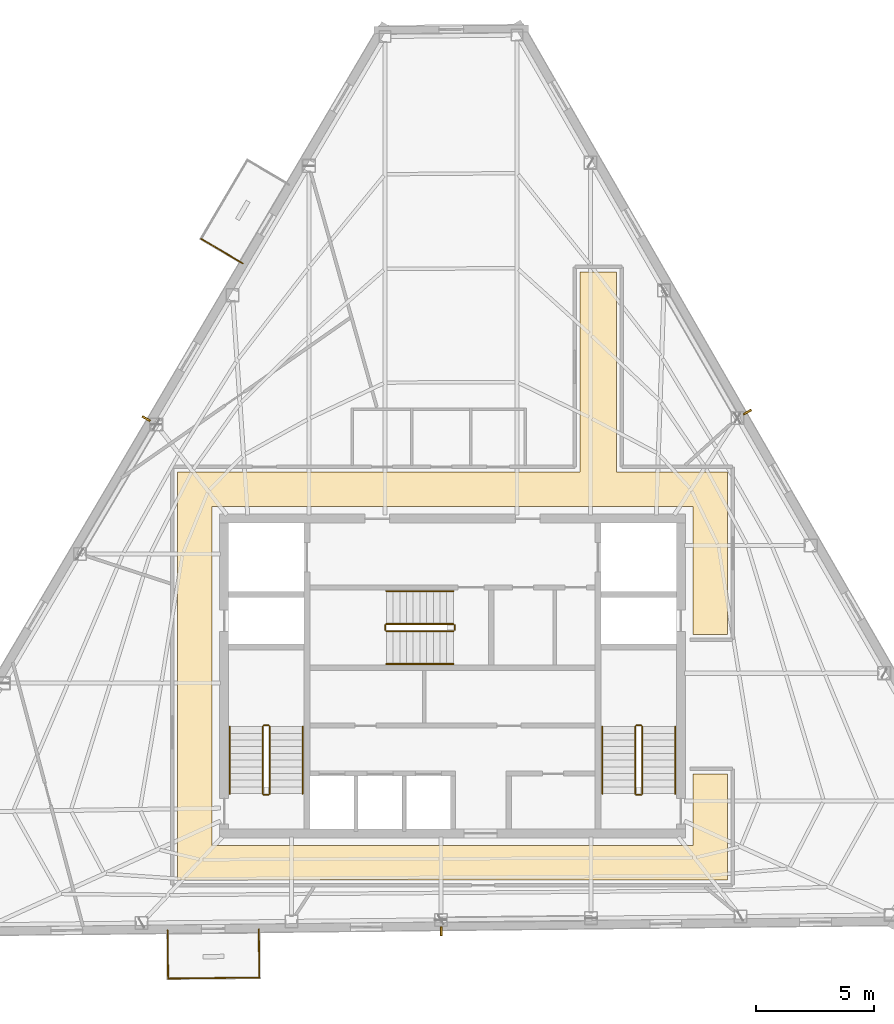
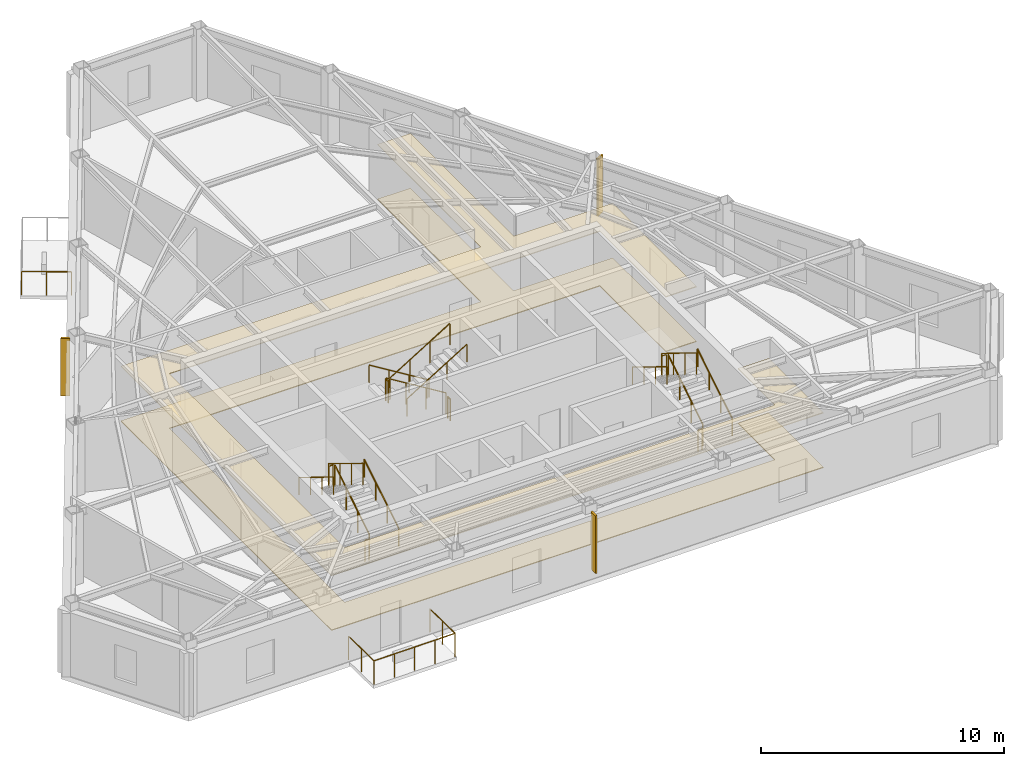
# One storey, part 10 of 11: 22 railings, 3 shading devices, 2 coverings.
"""IFC4 building model written with IfcOpenShell, lengths in metres."""

from ifc_helpers import new_model, si_unit, direction, frame, origin, origin_2d, place, context, subcontext, project, spatial, polyline, rectangle, circle, outline, extrude, material, layer, layer_set, type_object, element, save


model = new_model("IFC4")

# Units and contexts
model_context = context("Model", 3, precision=1e-05, world=origin(), true_north=direction((0.0, 1.0)))
body_context = subcontext(model_context, "Body", "Model", "MODEL_VIEW")
ifc_project = project(units=[si_unit("LENGTHUNIT", "METRE"), si_unit("AREAUNIT", "SQUARE_METRE"), si_unit("VOLUMEUNIT", "CUBIC_METRE"), si_unit("PLANEANGLEUNIT", "RADIAN"), si_unit("MASSUNIT", "GRAM", prefix="KILO")], contexts=[model_context])

# Site, building, storey
site_placement = place(None, origin())
site = spatial("IfcSite", under=ifc_project, at=site_placement, CompositionType="ELEMENT")
building_placement = place(site_placement, origin())
building = spatial("IfcBuilding", under=site, at=building_placement, Name="Kavelnor Concourse Tower", CompositionType="ELEMENT")
storey_placement = place(building_placement, frame((0.0, 0.0, 285.699951171875)))
storey = spatial("IfcBuildingStorey", under=building, at=storey_placement, Name="L72", CompositionType="ELEMENT", Elevation=285.699951171875)

# Coverings
ifc_material_1 = material(Name="Mineral fibre acoustic ceiling tile")
ifc_layer_1 = layer(ifc_material_1, 0.0400390625, Name="Mineral fibre acoustic ceiling tile")
ifc_layer_set_1 = layer_set([ifc_layer_1], Name="Mineral fibre acoustic ceiling tile")
covering_type_1 = type_object("IfcCoveringType", Name="COV-CEILING-ACOUSTIC", PredefinedType="CEILING", material=ifc_layer_set_1)
covering_1_placement = place(storey_placement, frame((0.0, 0.0, 2.75)))
element("IfcCovering", 1, at=covering_1_placement, inside=storey, type_object=covering_type_1, Name="L72 Suspended Acoustic Ceiling", PredefinedType="CEILING", context=body_context, shape_type="SweptSolid", body=[
    extrude(outline(polyline([(44.97998046875, 24.77001953125), (49.68994140625, 24.77001953125), (49.68994140625, 17.8701171875), (48.22998046875, 17.8701171875), (48.22998046875, 23.31005859375), (27.77001953125, 23.31005859375), (27.77001953125, 8.889892578125), (48.22998046875, 8.889892578125), (48.22998046875, 11.929931640625), (49.68994140625, 11.929931640625), (49.68994140625, 7.429931640625), (26.31005859375, 7.429931640625), (26.31005859375, 24.77001953125), (43.419921875, 24.77001953125), (43.419921875, 33.2744140625), (44.97998046875, 33.2744140625), (44.97998046875, 24.77001953125)])), origin(), (0.0, 0.0, 1.0), 0.0400390625),
])
ifc_material_2 = material(Name="Honed bluestone and raised access floor finish", Category="masonry")
ifc_layer_2 = layer(ifc_material_2, 0.0400390625, Name="Honed bluestone and raised access floor finish")
ifc_layer_set_2 = layer_set([ifc_layer_2], Name="Honed bluestone and raised access floor finish")
covering_type_2 = type_object("IfcCoveringType", Name="COV-FLOOR-STONE", PredefinedType="FLOORING", material=ifc_layer_set_2)
covering_2_placement = place(storey_placement, frame((0.0, 0.0, 0.001953125)))
element("IfcCovering", 2, at=covering_2_placement, inside=storey, type_object=covering_type_2, Name="L72 Honed Bluestone Floor Finish", PredefinedType="FLOORING", context=body_context, shape_type="SweptSolid", body=[
    extrude(outline(polyline([(44.97998046875, 24.77001953125), (49.68994140625, 24.77001953125), (49.68994140625, 17.8701171875), (48.22998046875, 17.8701171875), (48.22998046875, 23.31005859375), (27.77001953125, 23.31005859375), (27.77001953125, 8.889892578125), (48.22998046875, 8.889892578125), (48.22998046875, 11.929931640625), (49.68994140625, 11.929931640625), (49.68994140625, 7.429931640625), (26.31005859375, 7.429931640625), (26.31005859375, 24.77001953125), (43.419921875, 24.77001953125), (43.419921875, 33.2744140625), (44.97998046875, 33.2744140625), (44.97998046875, 24.77001953125)])), origin(), (0.0, 0.0, 1.0), 0.0400390625),
])

# Railings
ifc_material_3 = material(Name="Steel Grade 350", Category="steel")
railing_type_1 = type_object("IfcRailingType", Name="RLG-GUARD-1100", PredefinedType="GUARDRAIL", material=ifc_material_3)
railing_1_placement = place(storey_placement, frame((30.22998046875, 11.10009765625, 0.175048828125)))
element("IfcRailing", 3, at=railing_1_placement, inside=storey, type_object=railing_type_1, Name="L72 ST1 stair guard 1", PredefinedType="GUARDRAIL", context=body_context, shape_type="SweptSolid", body=[
    extrude(circle(Radius=0.02392578125, at=origin_2d()), frame((0.0, 0.0, 1.076171875), z_axis=(0.0, 0.852159232446, 0.523282564737), x_axis=(-1.0, 0.0, 0.0)), (0.0, 0.0, 1.0), 3.34423828125),
    extrude(circle(Radius=0.02099609375, at=origin_2d()), origin(), (0.0, 0.0, 1.0), 1.052001953125),
    extrude(circle(Radius=0.02099609375, at=origin_2d()), frame((0.0, 0.949951171875, 0.583251953125)), (0.0, 0.0, 1.0), 1.052001953125),
    extrude(circle(Radius=0.02099609375, at=origin_2d()), frame((0.0, 1.89990234375, 1.166748046875)), (0.0, 0.0, 1.0), 1.052001953125),
    extrude(circle(Radius=0.02099609375, at=origin_2d()), frame((0.0, 2.849853515625, 1.75)), (0.0, 0.0, 1.0), 1.052001953125),
])
railing_2_placement = place(storey_placement, frame((30.179931640625, 14.0, 1.925048828125)))
element("IfcRailing", 4, at=railing_2_placement, inside=storey, type_object=railing_type_1, Name="L72 ST1 stair guard 2", PredefinedType="GUARDRAIL", context=body_context, shape_type="SweptSolid", body=[
    extrude(circle(Radius=0.02392578125, at=origin_2d()), frame((0.0, 0.0, 1.076171875), z_axis=(-1.0, 0.0, 0.0), x_axis=(0.0, -1.0, 0.0)), (0.0, 0.0, 1.0), 0.199951171875),
    extrude(circle(Radius=0.02099609375, at=origin_2d()), origin(), (0.0, 0.0, 1.0), 1.052001953125),
    extrude(circle(Radius=0.02099609375, at=origin_2d()), frame((-0.199951171875, 0.0, 0.0)), (0.0, 0.0, 1.0), 1.052001953125),
])
railing_3_placement = place(storey_placement, frame((29.929931640625, 13.949951171875, 2.10009765625)))
element("IfcRailing", 5, at=railing_3_placement, inside=storey, type_object=railing_type_1, Name="L72 ST1 stair guard 3", PredefinedType="GUARDRAIL", context=body_context, shape_type="SweptSolid", body=[
    extrude(circle(Radius=0.02392578125, at=origin_2d()), frame((0.0, 0.0, 1.076171875), z_axis=(0.0, -0.852159232446, 0.523282564737), x_axis=(1.0, 0.0, 0.0)), (0.0, 0.0, 1.0), 3.34423828125),
    extrude(circle(Radius=0.02099609375, at=origin_2d()), origin(), (0.0, 0.0, 1.0), 1.052001953125),
    extrude(circle(Radius=0.02099609375, at=origin_2d()), frame((0.0, -0.949951171875, 0.583251953125)), (0.0, 0.0, 1.0), 1.052001953125),
    extrude(circle(Radius=0.02099609375, at=origin_2d()), frame((0.0, -1.89990234375, 1.166748046875)), (0.0, 0.0, 1.0), 1.052001953125),
    extrude(circle(Radius=0.02099609375, at=origin_2d()), frame((0.0, -2.849853515625, 1.75)), (0.0, 0.0, 1.0), 1.052001953125),
])
railing_4_placement = place(storey_placement, frame((30.179931640625, 11.050048828125, 0.0)))
element("IfcRailing", 6, at=railing_4_placement, inside=storey, type_object=railing_type_1, Name="L72 ST1 stair guard 4", PredefinedType="GUARDRAIL", context=body_context, shape_type="SweptSolid", body=[
    extrude(circle(Radius=0.02392578125, at=origin_2d()), frame((0.0, 0.0, 1.076171875), z_axis=(-1.0, 0.0, 0.0), x_axis=(0.0, -1.0, 0.0)), (0.0, 0.0, 1.0), 0.199951171875),
    extrude(circle(Radius=0.02099609375, at=origin_2d()), origin(), (0.0, 0.0, 1.0), 1.052001953125),
    extrude(circle(Radius=0.02099609375, at=origin_2d()), frame((-0.199951171875, 0.0, 0.0)), (0.0, 0.0, 1.0), 1.052001953125),
])
railing_5_placement = place(storey_placement, frame((46.070068359375, 11.10009765625, 0.175048828125)))
element("IfcRailing", 7, at=railing_5_placement, inside=storey, type_object=railing_type_1, Name="L72 ST2 stair guard 1", PredefinedType="GUARDRAIL", context=body_context, shape_type="SweptSolid", body=[
    extrude(circle(Radius=0.02392578125, at=origin_2d()), frame((0.0, 0.0, 1.076171875), z_axis=(0.0, 0.852159232446, 0.523282564737), x_axis=(-1.0, 0.0, 0.0)), (0.0, 0.0, 1.0), 3.34423828125),
    extrude(circle(Radius=0.02099609375, at=origin_2d()), origin(), (0.0, 0.0, 1.0), 1.052001953125),
    extrude(circle(Radius=0.02099609375, at=origin_2d()), frame((0.0, 0.949951171875, 0.583251953125)), (0.0, 0.0, 1.0), 1.052001953125),
    extrude(circle(Radius=0.02099609375, at=origin_2d()), frame((0.0, 1.89990234375, 1.166748046875)), (0.0, 0.0, 1.0), 1.052001953125),
    extrude(circle(Radius=0.02099609375, at=origin_2d()), frame((0.0, 2.849853515625, 1.75)), (0.0, 0.0, 1.0), 1.052001953125),
])
railing_6_placement = place(storey_placement, frame((46.02001953125, 14.0, 1.925048828125)))
element("IfcRailing", 8, at=railing_6_placement, inside=storey, type_object=railing_type_1, Name="L72 ST2 stair guard 2", PredefinedType="GUARDRAIL", context=body_context, shape_type="SweptSolid", body=[
    extrude(circle(Radius=0.02392578125, at=origin_2d()), frame((0.0, 0.0, 1.076171875), z_axis=(-1.0, 0.0, 0.0), x_axis=(0.0, -1.0, 0.0)), (0.0, 0.0, 1.0), 0.199951171875),
    extrude(circle(Radius=0.02099609375, at=origin_2d()), origin(), (0.0, 0.0, 1.0), 1.052001953125),
    extrude(circle(Radius=0.02099609375, at=origin_2d()), frame((-0.199951171875, 0.0, 0.0)), (0.0, 0.0, 1.0), 1.052001953125),
])
railing_7_placement = place(storey_placement, frame((45.77001953125, 13.949951171875, 2.10009765625)))
element("IfcRailing", 9, at=railing_7_placement, inside=storey, type_object=railing_type_1, Name="L72 ST2 stair guard 3", PredefinedType="GUARDRAIL", context=body_context, shape_type="SweptSolid", body=[
    extrude(circle(Radius=0.02392578125, at=origin_2d()), frame((0.0, 0.0, 1.076171875), z_axis=(0.0, -0.852159232446, 0.523282564737), x_axis=(1.0, 0.0, 0.0)), (0.0, 0.0, 1.0), 3.34423828125),
    extrude(circle(Radius=0.02099609375, at=origin_2d()), origin(), (0.0, 0.0, 1.0), 1.052001953125),
    extrude(circle(Radius=0.02099609375, at=origin_2d()), frame((0.0, -0.949951171875, 0.583251953125)), (0.0, 0.0, 1.0), 1.052001953125),
    extrude(circle(Radius=0.02099609375, at=origin_2d()), frame((0.0, -1.89990234375, 1.166748046875)), (0.0, 0.0, 1.0), 1.052001953125),
    extrude(circle(Radius=0.02099609375, at=origin_2d()), frame((0.0, -2.849853515625, 1.75)), (0.0, 0.0, 1.0), 1.052001953125),
])
railing_8_placement = place(storey_placement, frame((46.02001953125, 11.050048828125, 0.0)))
element("IfcRailing", 10, at=railing_8_placement, inside=storey, type_object=railing_type_1, Name="L72 ST2 stair guard 4", PredefinedType="GUARDRAIL", context=body_context, shape_type="SweptSolid", body=[
    extrude(circle(Radius=0.02392578125, at=origin_2d()), frame((0.0, 0.0, 1.076171875), z_axis=(-1.0, 0.0, 0.0), x_axis=(0.0, -1.0, 0.0)), (0.0, 0.0, 1.0), 0.199951171875),
    extrude(circle(Radius=0.02099609375, at=origin_2d()), origin(), (0.0, 0.0, 1.0), 1.052001953125),
    extrude(circle(Radius=0.02099609375, at=origin_2d()), frame((-0.199951171875, 0.0, 0.0)), (0.0, 0.0, 1.0), 1.052001953125),
])
railing_9_placement = place(storey_placement, frame((38.0400390625, 18.31005859375, 0.175048828125)))
element("IfcRailing", 11, at=railing_9_placement, inside=storey, type_object=railing_type_1, Name="L72 ST3 stair guard 1", PredefinedType="GUARDRAIL", context=body_context, shape_type="SweptSolid", body=[
    extrude(circle(Radius=0.02392578125, at=origin_2d()), frame((0.0, 0.0, 1.076171875), z_axis=(-0.852179220489, 0.0, 0.52325001306), x_axis=(0.0, -1.0, 0.0)), (0.0, 0.0, 1.0), 3.344482421875),
    extrude(circle(Radius=0.02099609375, at=origin_2d()), origin(), (0.0, 0.0, 1.0), 1.052001953125),
    extrude(circle(Radius=0.02099609375, at=origin_2d()), frame((-0.949951171875, 0.0, 0.583251953125)), (0.0, 0.0, 1.0), 1.052001953125),
    extrude(circle(Radius=0.02099609375, at=origin_2d()), frame((-1.900146484375, 0.0, 1.166748046875)), (0.0, 0.0, 1.0), 1.052001953125),
    extrude(circle(Radius=0.02099609375, at=origin_2d()), frame((-2.85009765625, 0.0, 1.75)), (0.0, 0.0, 1.0), 1.052001953125),
])
railing_10_placement = place(storey_placement, frame((35.139892578125, 18.260009765625, 1.925048828125)))
element("IfcRailing", 12, at=railing_10_placement, inside=storey, type_object=railing_type_1, Name="L72 ST3 stair guard 2", PredefinedType="GUARDRAIL", context=body_context, shape_type="SweptSolid", body=[
    extrude(circle(Radius=0.02392578125, at=origin_2d()), frame((0.0, 0.0, 1.076171875), z_axis=(0.0, -1.0, 0.0), x_axis=(1.0, 0.0, 0.0)), (0.0, 0.0, 1.0), 0.199951171875),
    extrude(circle(Radius=0.02099609375, at=origin_2d()), origin(), (0.0, 0.0, 1.0), 1.052001953125),
    extrude(circle(Radius=0.02099609375, at=origin_2d()), frame((0.0, -0.199951171875, 0.0)), (0.0, 0.0, 1.0), 1.052001953125),
])
railing_11_placement = place(storey_placement, frame((35.18994140625, 18.010009765625, 2.10009765625)))
element("IfcRailing", 13, at=railing_11_placement, inside=storey, type_object=railing_type_1, Name="L72 ST3 stair guard 3", PredefinedType="GUARDRAIL", context=body_context, shape_type="SweptSolid", body=[
    extrude(circle(Radius=0.02392578125, at=origin_2d()), frame((0.0, 0.0, 1.076171875), z_axis=(0.852179220489, 0.0, 0.52325001306), x_axis=(0.0, 1.0, 0.0)), (0.0, 0.0, 1.0), 3.344482421875),
    extrude(circle(Radius=0.02099609375, at=origin_2d()), origin(), (0.0, 0.0, 1.0), 1.052001953125),
    extrude(circle(Radius=0.02099609375, at=origin_2d()), frame((0.949951171875, 0.0, 0.583251953125)), (0.0, 0.0, 1.0), 1.052001953125),
    extrude(circle(Radius=0.02099609375, at=origin_2d()), frame((1.900146484375, 0.0, 1.166748046875)), (0.0, 0.0, 1.0), 1.052001953125),
    extrude(circle(Radius=0.02099609375, at=origin_2d()), frame((2.85009765625, 0.0, 1.75)), (0.0, 0.0, 1.0), 1.052001953125),
])
railing_12_placement = place(storey_placement, frame((38.090087890625, 18.260009765625, 0.0)))
element("IfcRailing", 14, at=railing_12_placement, inside=storey, type_object=railing_type_1, Name="L72 ST3 stair guard 4", PredefinedType="GUARDRAIL", context=body_context, shape_type="SweptSolid", body=[
    extrude(circle(Radius=0.02392578125, at=origin_2d()), frame((0.0, 0.0, 1.076171875), z_axis=(0.0, -1.0, 0.0), x_axis=(1.0, 0.0, 0.0)), (0.0, 0.0, 1.0), 0.199951171875),
    extrude(circle(Radius=0.02099609375, at=origin_2d()), origin(), (0.0, 0.0, 1.0), 1.052001953125),
    extrude(circle(Radius=0.02099609375, at=origin_2d()), frame((0.0, -0.199951171875, 0.0)), (0.0, 0.0, 1.0), 1.052001953125),
])
railing_type_2 = type_object("IfcRailingType", Name="RLG-HANDRAIL-900", PredefinedType="HANDRAIL", material=ifc_material_3)
railing_13_placement = place(storey_placement, frame((31.6298828125, 11.10009765625, 0.175048828125)))
element("IfcRailing", 15, at=railing_13_placement, inside=storey, type_object=railing_type_2, Name="L72 ST1 stair handrail 1", PredefinedType="HANDRAIL", context=body_context, shape_type="SweptSolid", body=[
    extrude(circle(Radius=0.02392578125, at=origin_2d()), frame((0.0, 0.0, 0.8759765625), z_axis=(0.0, 0.852159232446, 0.523282564737), x_axis=(-1.0, 0.0, 0.0)), (0.0, 0.0, 1.0), 3.34423828125),
    extrude(circle(Radius=0.02099609375, at=origin_2d()), origin(), (0.0, 0.0, 1.0), 0.851806640625),
    extrude(circle(Radius=0.02099609375, at=origin_2d()), frame((0.0, 0.949951171875, 0.583251953125)), (0.0, 0.0, 1.0), 0.851806640625),
    extrude(circle(Radius=0.02099609375, at=origin_2d()), frame((0.0, 1.89990234375, 1.166748046875)), (0.0, 0.0, 1.0), 0.851806640625),
    extrude(circle(Radius=0.02099609375, at=origin_2d()), frame((0.0, 2.849853515625, 1.75)), (0.0, 0.0, 1.0), 0.851806640625),
])
railing_14_placement = place(storey_placement, frame((28.530029296875, 13.949951171875, 2.10009765625)))
element("IfcRailing", 16, at=railing_14_placement, inside=storey, type_object=railing_type_2, Name="L72 ST1 stair handrail 2", PredefinedType="HANDRAIL", context=body_context, shape_type="SweptSolid", body=[
    extrude(circle(Radius=0.02392578125, at=origin_2d()), frame((0.0, 0.0, 0.8759765625), z_axis=(0.0, -0.852159232446, 0.523282564737), x_axis=(1.0, 0.0, 0.0)), (0.0, 0.0, 1.0), 3.34423828125),
    extrude(circle(Radius=0.02099609375, at=origin_2d()), origin(), (0.0, 0.0, 1.0), 0.851806640625),
    extrude(circle(Radius=0.02099609375, at=origin_2d()), frame((0.0, -0.949951171875, 0.583251953125)), (0.0, 0.0, 1.0), 0.851806640625),
    extrude(circle(Radius=0.02099609375, at=origin_2d()), frame((0.0, -1.89990234375, 1.166748046875)), (0.0, 0.0, 1.0), 0.851806640625),
    extrude(circle(Radius=0.02099609375, at=origin_2d()), frame((0.0, -2.849853515625, 1.75)), (0.0, 0.0, 1.0), 0.851806640625),
])
railing_15_placement = place(storey_placement, frame((47.469970703125, 11.10009765625, 0.175048828125)))
element("IfcRailing", 17, at=railing_15_placement, inside=storey, type_object=railing_type_2, Name="L72 ST2 stair handrail 1", PredefinedType="HANDRAIL", context=body_context, shape_type="SweptSolid", body=[
    extrude(circle(Radius=0.02392578125, at=origin_2d()), frame((0.0, 0.0, 0.8759765625), z_axis=(0.0, 0.852159232446, 0.523282564737), x_axis=(-1.0, 0.0, 0.0)), (0.0, 0.0, 1.0), 3.34423828125),
    extrude(circle(Radius=0.02099609375, at=origin_2d()), origin(), (0.0, 0.0, 1.0), 0.851806640625),
    extrude(circle(Radius=0.02099609375, at=origin_2d()), frame((0.0, 0.949951171875, 0.583251953125)), (0.0, 0.0, 1.0), 0.851806640625),
    extrude(circle(Radius=0.02099609375, at=origin_2d()), frame((0.0, 1.89990234375, 1.166748046875)), (0.0, 0.0, 1.0), 0.851806640625),
    extrude(circle(Radius=0.02099609375, at=origin_2d()), frame((0.0, 2.849853515625, 1.75)), (0.0, 0.0, 1.0), 0.851806640625),
])
railing_16_placement = place(storey_placement, frame((44.3701171875, 13.949951171875, 2.10009765625)))
element("IfcRailing", 18, at=railing_16_placement, inside=storey, type_object=railing_type_2, Name="L72 ST2 stair handrail 2", PredefinedType="HANDRAIL", context=body_context, shape_type="SweptSolid", body=[
    extrude(circle(Radius=0.02392578125, at=origin_2d()), frame((0.0, 0.0, 0.8759765625), z_axis=(0.0, -0.852159232446, 0.523282564737), x_axis=(1.0, 0.0, 0.0)), (0.0, 0.0, 1.0), 3.34423828125),
    extrude(circle(Radius=0.02099609375, at=origin_2d()), origin(), (0.0, 0.0, 1.0), 0.851806640625),
    extrude(circle(Radius=0.02099609375, at=origin_2d()), frame((0.0, -0.949951171875, 0.583251953125)), (0.0, 0.0, 1.0), 0.851806640625),
    extrude(circle(Radius=0.02099609375, at=origin_2d()), frame((0.0, -1.89990234375, 1.166748046875)), (0.0, 0.0, 1.0), 0.851806640625),
    extrude(circle(Radius=0.02099609375, at=origin_2d()), frame((0.0, -2.849853515625, 1.75)), (0.0, 0.0, 1.0), 0.851806640625),
])
railing_17_placement = place(storey_placement, frame((38.0400390625, 19.7099609375, 0.175048828125)))
element("IfcRailing", 19, at=railing_17_placement, inside=storey, type_object=railing_type_2, Name="L72 ST3 stair handrail 1", PredefinedType="HANDRAIL", context=body_context, shape_type="SweptSolid", body=[
    extrude(circle(Radius=0.02392578125, at=origin_2d()), frame((0.0, 0.0, 0.8759765625), z_axis=(-0.852179220489, 0.0, 0.52325001306), x_axis=(0.0, -1.0, 0.0)), (0.0, 0.0, 1.0), 3.344482421875),
    extrude(circle(Radius=0.02099609375, at=origin_2d()), origin(), (0.0, 0.0, 1.0), 0.851806640625),
    extrude(circle(Radius=0.02099609375, at=origin_2d()), frame((-0.949951171875, 0.0, 0.583251953125)), (0.0, 0.0, 1.0), 0.851806640625),
    extrude(circle(Radius=0.02099609375, at=origin_2d()), frame((-1.900146484375, 0.0, 1.166748046875)), (0.0, 0.0, 1.0), 0.851806640625),
    extrude(circle(Radius=0.02099609375, at=origin_2d()), frame((-2.85009765625, 0.0, 1.75)), (0.0, 0.0, 1.0), 0.851806640625),
])
railing_18_placement = place(storey_placement, frame((35.18994140625, 16.610107421875, 2.10009765625)))
element("IfcRailing", 20, at=railing_18_placement, inside=storey, type_object=railing_type_2, Name="L72 ST3 stair handrail 2", PredefinedType="HANDRAIL", context=body_context, shape_type="SweptSolid", body=[
    extrude(circle(Radius=0.02392578125, at=origin_2d()), frame((0.0, 0.0, 0.8759765625), z_axis=(0.852179220489, 0.0, 0.52325001306), x_axis=(0.0, 1.0, 0.0)), (0.0, 0.0, 1.0), 3.344482421875),
    extrude(circle(Radius=0.02099609375, at=origin_2d()), origin(), (0.0, 0.0, 1.0), 0.851806640625),
    extrude(circle(Radius=0.02099609375, at=origin_2d()), frame((0.949951171875, 0.0, 0.583251953125)), (0.0, 0.0, 1.0), 0.851806640625),
    extrude(circle(Radius=0.02099609375, at=origin_2d()), frame((1.900146484375, 0.0, 1.166748046875)), (0.0, 0.0, 1.0), 0.851806640625),
    extrude(circle(Radius=0.02099609375, at=origin_2d()), frame((2.85009765625, 0.0, 1.75)), (0.0, 0.0, 1.0), 0.851806640625),
])
ifc_material_4 = material(Name="Architectural bronze-anodised aluminium", Category="aluminium")
railing_type_3 = type_object("IfcRailingType", Name="RLG-TERRACE-1200", PredefinedType="BALUSTRADE", material=ifc_material_4)
railing_19_placement = place(storey_placement, frame((27.310302734375, 34.690185546875, 0.0)))
element("IfcRailing", 21, at=railing_19_placement, inside=storey, type_object=railing_type_3, Name="L72 Tree Balcony 1 Guardrail R", PredefinedType="BALUSTRADE", context=body_context, shape_type="SweptSolid", body=[
    extrude(circle(Radius=0.02392578125, at=origin_2d()), frame((0.0, 0.0, 1.17578125), z_axis=(0.861284374574, -0.5081232391, 0.0), x_axis=(0.5081232391, 0.861284374574, 0.0)), (0.0, 0.0, 1.0), 2.0498046875),
    extrude(circle(Radius=0.02099609375, at=origin_2d()), origin(), (0.0, 0.0, 1.0), 1.15185546875),
    extrude(circle(Radius=0.02099609375, at=origin_2d()), frame((0.8828125, -0.520751953125, 0.0)), (0.0, 0.0, 1.0), 1.15185546875),
    extrude(circle(Radius=0.02099609375, at=origin_2d()), frame((1.765380859375, -1.04150390625, 0.0)), (0.0, 0.0, 1.0), 1.15185546875),
])
railing_20_placement = place(storey_placement, frame((25.885986328125, 5.28662109375, 0.0)))
element("IfcRailing", 22, at=railing_20_placement, inside=storey, type_object=railing_type_3, Name="L72 Tree Balcony 2 Guardrail L", PredefinedType="BALUSTRADE", context=body_context, shape_type="SweptSolid", body=[
    extrude(circle(Radius=0.02392578125, at=origin_2d()), frame((0.0, 0.0, 1.17578125), z_axis=(0.010956941082, -0.999939970919, 0.0), x_axis=(0.999939970919, 0.010956941082, 0.0)), (0.0, 0.0, 1.0), 2.050048828125),
    extrude(circle(Radius=0.02099609375, at=origin_2d()), origin(), (0.0, 0.0, 1.0), 1.15185546875),
    extrude(circle(Radius=0.02099609375, at=origin_2d()), frame((0.01123046875, -1.02490234375, 0.0)), (0.0, 0.0, 1.0), 1.15185546875),
    extrude(circle(Radius=0.02099609375, at=origin_2d()), frame((0.0224609375, -2.0498046875, 0.0)), (0.0, 0.0, 1.0), 1.15185546875),
])
railing_21_placement = place(storey_placement, frame((25.908447265625, 3.23681640625, 0.0)))
element("IfcRailing", 23, at=railing_21_placement, inside=storey, type_object=railing_type_3, Name="L72 Tree Balcony 2 Guardrail F", PredefinedType="BALUSTRADE", context=body_context, shape_type="SweptSolid", body=[
    extrude(circle(Radius=0.02392578125, at=origin_2d()), frame((0.0, 0.0, 1.17578125), z_axis=(0.999940058584, 0.010948937776, 0.0), x_axis=(-0.010948937776, 0.999940058584, 0.0)), (0.0, 0.0, 1.0), 3.8798828125),
    extrude(circle(Radius=0.02099609375, at=origin_2d()), origin(), (0.0, 0.0, 1.0), 1.15185546875),
    extrude(circle(Radius=0.02099609375, at=origin_2d()), frame((0.969970703125, 0.0107421875, 0.0)), (0.0, 0.0, 1.0), 1.15185546875),
    extrude(circle(Radius=0.02099609375, at=origin_2d()), frame((1.93994140625, 0.021240234375, 0.0)), (0.0, 0.0, 1.0), 1.15185546875),
    extrude(circle(Radius=0.02099609375, at=origin_2d()), frame((2.90966796875, 0.03173828125, 0.0)), (0.0, 0.0, 1.0), 1.15185546875),
    extrude(circle(Radius=0.02099609375, at=origin_2d()), frame((3.879638671875, 0.04248046875, 0.0)), (0.0, 0.0, 1.0), 1.15185546875),
])
railing_22_placement = place(storey_placement, frame((29.7880859375, 3.279296875, 0.0)))
element("IfcRailing", 24, at=railing_22_placement, inside=storey, type_object=railing_type_3, Name="L72 Tree Balcony 2 Guardrail R", PredefinedType="BALUSTRADE", context=body_context, shape_type="SweptSolid", body=[
    extrude(circle(Radius=0.02392578125, at=origin_2d()), frame((0.0, 0.0, 1.17578125), z_axis=(-0.010837857962, 0.999941268693, 0.0), x_axis=(-0.999941268693, -0.010837857962, 0.0)), (0.0, 0.0, 1.0), 2.0498046875),
    extrude(circle(Radius=0.02099609375, at=origin_2d()), origin(), (0.0, 0.0, 1.0), 1.15185546875),
    extrude(circle(Radius=0.02099609375, at=origin_2d()), frame((-0.01123046875, 1.02490234375, 0.0)), (0.0, 0.0, 1.0), 1.15185546875),
    extrude(circle(Radius=0.02099609375, at=origin_2d()), frame((-0.022216796875, 2.0498046875, 0.0)), (0.0, 0.0, 1.0), 1.15185546875),
])

# Shading devices
ifc_layer_3 = layer(ifc_material_4, 0.06005859375, Name="Architectural bronze-anodised aluminium")
ifc_layer_set_3 = layer_set([ifc_layer_3], Name="Architectural bronze-anodised aluminium")
shading_device_type = type_object("IfcShadingDeviceType", Name="SHD-SOLAR-FIN", PredefinedType="JALOUSIE", material=ifc_layer_set_3)
for number, where, z_axis, x_axis, name in (
    (25, (24.981201171875, 27.0419921875, 0.400146484375), (0.0, 0.0, 1.0), (-0.861274621876, 0.508139769859, 0.0), "L72 Bronze Pier Solar Fin F0"),
    (26, (37.521728515625, 5.243896484375, 0.400146484375), (0.0, 0.0, 1.0), (0.010995352723, -0.999939549282, 0.0), "L72 Bronze Pier Solar Fin F1"),
    (27, (50.537841796875, 27.316650390625, 0.400146484375), (0.0, 0.0, 1.0), (0.866809733209, 0.498639034186, 0.0), "L72 Bronze Pier Solar Fin F2"),
):
    element("IfcShadingDevice", number, at=place(storey_placement, frame(where, z_axis=z_axis, x_axis=x_axis)), inside=storey, type_object=shading_device_type, Name=name, PredefinedType="JALOUSIE", context=body_context, shape_type="SweptSolid", body=[
        extrude(rectangle(XDim=0.3798828125, YDim=0.080078125, at=origin_2d()), origin(), (0.0, 0.0, 1.0), 2.89990234375),
    ])

save(model, "model.ifc")
